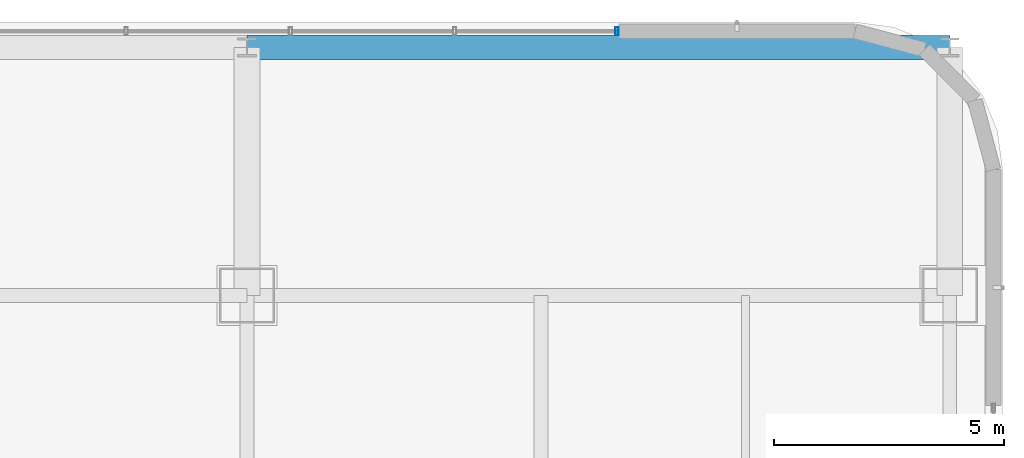
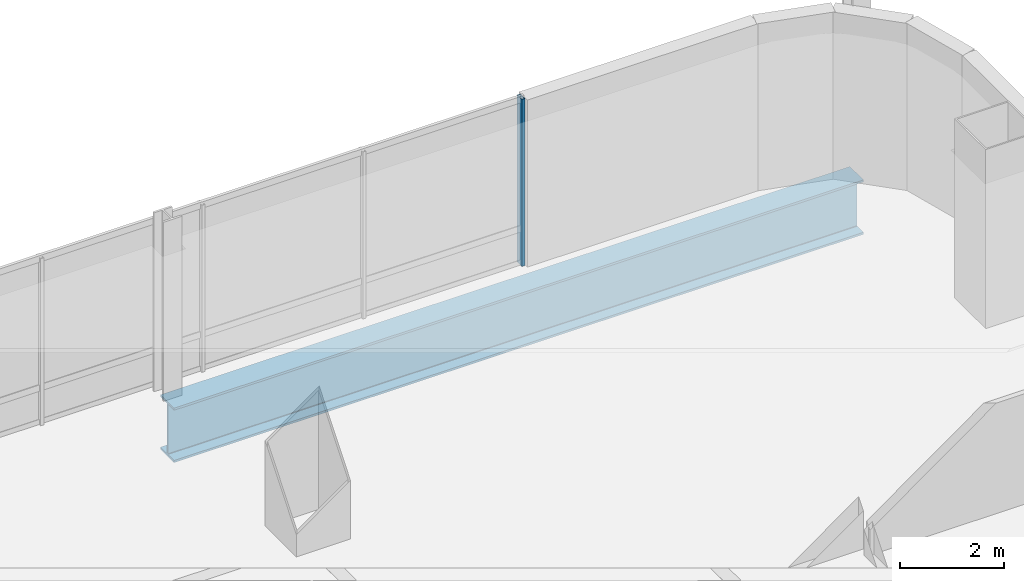
# One storey, part 29 of 51: 1 beam, 1 member, 1 element without a shape of its own.
"""IFC4 building model written with IfcOpenShell, lengths in metres."""

from ifc_helpers import new_model, si_unit, direction, frame, origin, origin_2d, place, context, subcontext, project, spatial, hollow_rectangle, i_section, extrude, material, material_profile, profile_set, type_object, element, aggregate, save


model = new_model("IFC4")

# Units and contexts
model_context = context("Model", 3, precision=1e-05, world=origin(), true_north=direction((0.0, 1.0)))
body_context = subcontext(model_context, "Body", "Model", "MODEL_VIEW")
ifc_project = project(units=[si_unit("LENGTHUNIT", "METRE"), si_unit("AREAUNIT", "SQUARE_METRE"), si_unit("VOLUMEUNIT", "CUBIC_METRE"), si_unit("PLANEANGLEUNIT", "RADIAN"), si_unit("MASSUNIT", "GRAM", prefix="KILO")], contexts=[model_context])

# Site, building, storey
site_placement = place(None, origin())
site = spatial("IfcSite", under=ifc_project, at=site_placement, CompositionType="ELEMENT")
building_placement = place(site_placement, origin())
building = spatial("IfcBuilding", under=site, at=building_placement, Name="Punatoya Terracotta Tower", CompositionType="ELEMENT")
storey_placement = place(building_placement, frame((0.0, 0.0, 313.199951171875)))
storey = spatial("IfcBuildingStorey", under=building, at=storey_placement, Name="L74", CompositionType="ELEMENT", Elevation=313.199951171875)

# Beam
ifc_material_1 = material(Name="Steel S460", Category="steel")
ifc_material_profile_1 = material_profile(ifc_material_1, i_section(OverallWidth=0.52001953125, OverallDepth=1.280029296875, WebThickness=0.031982421875, FlangeThickness=0.050048828125, FilletRadius=0.01806640625, at=origin_2d()))
ifc_profile_set_1 = profile_set([ifc_material_profile_1], Name="Steel S460")
beam_type = type_object("IfcBeamType", Name="BM-TG-NCK", PredefinedType="BEAM", material=ifc_profile_set_1)
beam_placement = place(storey_placement, frame((3.800048828125, 22.89990234375, -0.83984375), z_axis=(1.0, 0.0, 0.0), x_axis=(0.0, 1.0, 0.0)))
element("IfcBeam", 1, at=beam_placement, inside=storey, type_object=beam_type, Name="BM-L74-PER-N3", PredefinedType="BEAM", context=body_context, shape_type="SweptSolid", body=[
    extrude(i_section(OverallWidth=0.52001953125, OverallDepth=1.280029296875, WebThickness=0.031982421875, FlangeThickness=0.050048828125, FilletRadius=0.01806640625, at=origin_2d()), origin(), (0.0, 0.0, 1.0), 15.300048828125),
])

# Curtain wall, member
ifc_material_2 = material(Name="Aluminium 6063-T6 + Double Low-E Glass", Category="aluminium")
curtain_wall_type = type_object("IfcCurtainWallType", Name="CW-M3", PredefinedType="NOTDEFINED", material=ifc_material_2)
curtain_wall_placement = place(storey_placement, origin())
curtain_wall = element("IfcCurtainWall", 2, at=curtain_wall_placement, inside=storey, type_object=curtain_wall_type, Name="L74 Curtain Wall CW-L74-N09-1", PredefinedType="NOTDEFINED")
ifc_material_3 = material(Name="Aluminium 6063-T6", Category="aluminium")
ifc_material_profile_2 = material_profile(ifc_material_3, hollow_rectangle(XDim=0.070068359375, YDim=0.179931640625, WallThickness=0.00390625, at=origin_2d()))
ifc_profile_set_2 = profile_set([ifc_material_profile_2], Name="Aluminium 6063-T6")
member_type = type_object("IfcMemberType", Name="CW-MUL-M3", PredefinedType="MULLION", material=ifc_profile_set_2)
member_placement = place(storey_placement, frame((11.85498046875, 23.25, 0.0), z_axis=(0.0, 0.0, 1.0), x_axis=(1.0, 0.0, 0.0)))
member = element("IfcMember", 3, at=member_placement, type_object=member_type, Name="CW-L74-N09-1 Mullion 00", PredefinedType="MULLION", context=body_context, shape_type="SweptSolid", body=[
    extrude(hollow_rectangle(XDim=0.070068359375, YDim=0.179931640625, WallThickness=0.00390625, at=origin_2d()), origin(), (0.0, 0.0, 1.0), 3.920166015625),
])
aggregate(curtain_wall, [member])

save(model, "model.ifc")
